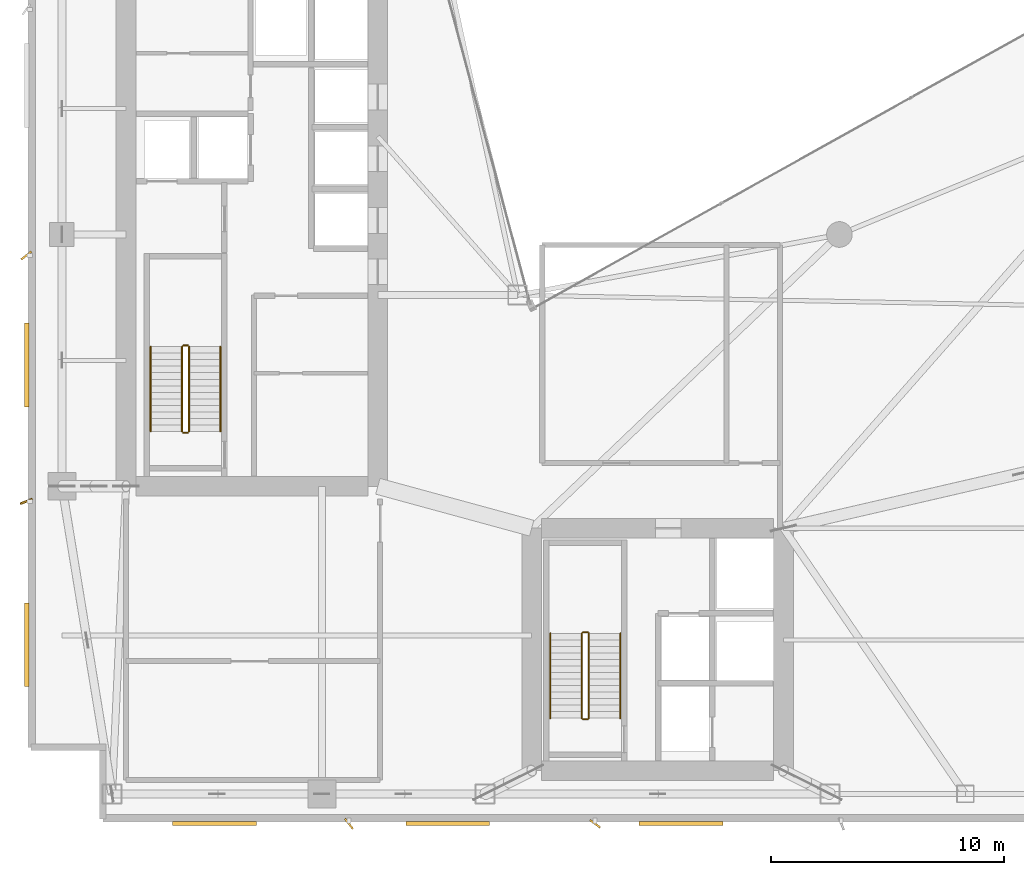
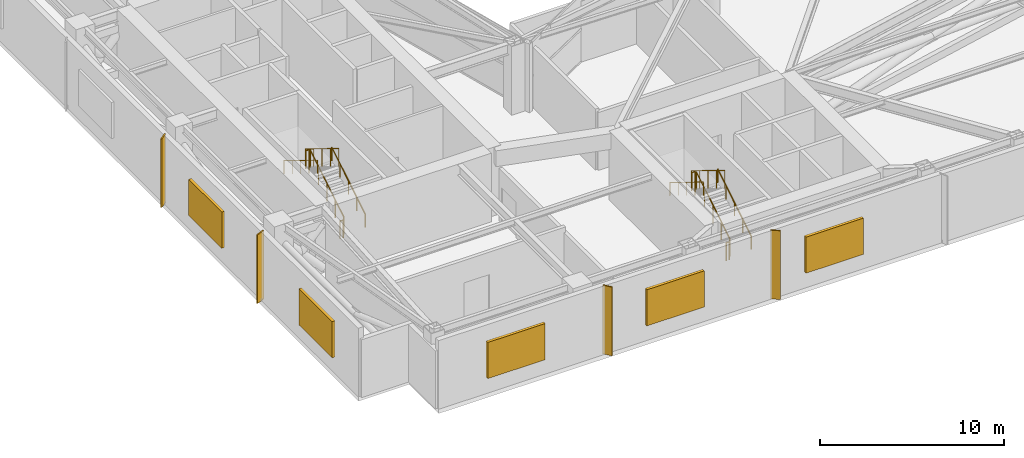
# One storey, part 18 of 19: 12 railings, 9 shading devices.
"""IFC4 building model written with IfcOpenShell, lengths in metres."""

from ifc_helpers import new_model, si_unit, direction, frame, origin, origin_2d, place, context, subcontext, project, spatial, rectangle, circle, extrude, material, type_object, element, save


model = new_model("IFC4")

# Units and contexts
model_context = context("Model", 3, precision=1e-05, world=origin(), true_north=direction((0.0, 1.0)))
body_context = subcontext(model_context, "Body", "Model", "MODEL_VIEW")
ifc_project = project(units=[si_unit("LENGTHUNIT", "METRE"), si_unit("AREAUNIT", "SQUARE_METRE"), si_unit("VOLUMEUNIT", "CUBIC_METRE"), si_unit("PLANEANGLEUNIT", "RADIAN"), si_unit("MASSUNIT", "GRAM", prefix="KILO")], contexts=[model_context])

# Site, building, storey
site_placement = place(None, origin())
site = spatial("IfcSite", under=ifc_project, at=site_placement, CompositionType="ELEMENT")
building_placement = place(site_placement, origin())
building = spatial("IfcBuilding", under=site, at=building_placement, Name="Calvorn Quay Hotel", CompositionType="ELEMENT")
storey_placement = place(building_placement, frame((0.0, 0.0, 139.199951171875)))
storey = spatial("IfcBuildingStorey", under=building, at=storey_placement, Name="L34", CompositionType="ELEMENT", Elevation=139.199951171875)

# Railings
ifc_material_1 = material(Name="Brushed Stainless Steel Handrail", Category="steel")
railing_type_1 = type_object("IfcRailingType", Name="RLG-HANDRAIL-900", PredefinedType="HANDRAIL", material=ifc_material_1)
railing_1_placement = place(storey_placement, frame((8.25, 19.14990234375, 0.17138671875)))
element("IfcRailing", 1, at=railing_1_placement, inside=storey, type_object=railing_type_1, Name="L34 ST-W stair handrail 1", PredefinedType="HANDRAIL", context=body_context, shape_type="SweptSolid", body=[
    extrude(circle(Radius=0.02392578125, at=origin_2d()), frame((0.0, 0.0, 0.8759765625), z_axis=(0.0, 0.852840387347, 0.522171689878), x_axis=(-1.0, 0.0, 0.0)), (0.0, 0.0, 1.0), 4.268310546875),
    extrude(circle(Radius=0.02099609375, at=origin_2d()), origin(), (0.0, 0.0, 1.0), 0.851806640625),
    extrude(circle(Radius=0.02099609375, at=origin_2d()), frame((0.0, 0.91015625, 0.55712890625)), (0.0, 0.0, 1.0), 0.851806640625),
    extrude(circle(Radius=0.02099609375, at=origin_2d()), frame((0.0, 1.820068359375, 1.1142578125)), (0.0, 0.0, 1.0), 0.851806640625),
    extrude(circle(Radius=0.02099609375, at=origin_2d()), frame((0.0, 2.72998046875, 1.671630859375)), (0.0, 0.0, 1.0), 0.851806640625),
    extrude(circle(Radius=0.02099609375, at=origin_2d()), frame((0.0, 3.64013671875, 2.228759765625)), (0.0, 0.0, 1.0), 0.851806640625),
])
railing_2_placement = place(storey_placement, frame((5.25, 22.7900390625, 2.571533203125)))
element("IfcRailing", 2, at=railing_2_placement, inside=storey, type_object=railing_type_1, Name="L34 ST-W stair handrail 2", PredefinedType="HANDRAIL", context=body_context, shape_type="SweptSolid", body=[
    extrude(circle(Radius=0.02392578125, at=origin_2d()), frame((0.0, 0.0, 0.8759765625), z_axis=(0.0, -0.852865859571, 0.52213008492), x_axis=(1.0, 0.0, 0.0)), (0.0, 0.0, 1.0), 4.26806640625),
    extrude(circle(Radius=0.02099609375, at=origin_2d()), origin(), (0.0, 0.0, 1.0), 0.851806640625),
    extrude(circle(Radius=0.02099609375, at=origin_2d()), frame((0.0, -0.91015625, 0.55712890625)), (0.0, 0.0, 1.0), 0.851806640625),
    extrude(circle(Radius=0.02099609375, at=origin_2d()), frame((0.0, -1.820068359375, 1.1142578125)), (0.0, 0.0, 1.0), 0.851806640625),
    extrude(circle(Radius=0.02099609375, at=origin_2d()), frame((0.0, -2.72998046875, 1.67138671875)), (0.0, 0.0, 1.0), 0.851806640625),
    extrude(circle(Radius=0.02099609375, at=origin_2d()), frame((0.0, -3.64013671875, 2.228515625)), (0.0, 0.0, 1.0), 0.851806640625),
])
railing_3_placement = place(storey_placement, frame((25.39990234375, 6.85009765625, 0.17138671875)))
element("IfcRailing", 3, at=railing_3_placement, inside=storey, type_object=railing_type_1, Name="L34 ST-E stair handrail 1", PredefinedType="HANDRAIL", context=body_context, shape_type="SweptSolid", body=[
    extrude(circle(Radius=0.02392578125, at=origin_2d()), frame((0.0, 0.0, 0.8759765625), z_axis=(0.0, 0.852824790078, 0.522197163366), x_axis=(-1.0, 0.0, 0.0)), (0.0, 0.0, 1.0), 4.26806640625),
    extrude(circle(Radius=0.02099609375, at=origin_2d()), origin(), (0.0, 0.0, 1.0), 0.851806640625),
    extrude(circle(Radius=0.02099609375, at=origin_2d()), frame((0.0, 0.909912109375, 0.55712890625)), (0.0, 0.0, 1.0), 0.851806640625),
    extrude(circle(Radius=0.02099609375, at=origin_2d()), frame((0.0, 1.81982421875, 1.1142578125)), (0.0, 0.0, 1.0), 0.851806640625),
    extrude(circle(Radius=0.02099609375, at=origin_2d()), frame((0.0, 2.72998046875, 1.671630859375)), (0.0, 0.0, 1.0), 0.851806640625),
    extrude(circle(Radius=0.02099609375, at=origin_2d()), frame((0.0, 3.639892578125, 2.228759765625)), (0.0, 0.0, 1.0), 0.851806640625),
])
railing_4_placement = place(storey_placement, frame((22.39990234375, 10.489990234375, 2.571533203125)))
element("IfcRailing", 4, at=railing_4_placement, inside=storey, type_object=railing_type_1, Name="L34 ST-E stair handrail 2", PredefinedType="HANDRAIL", context=body_context, shape_type="SweptSolid", body=[
    extrude(circle(Radius=0.02392578125, at=origin_2d()), frame((0.0, 0.0, 0.8759765625), z_axis=(0.0, -0.852850264322, 0.5221555579), x_axis=(1.0, 0.0, 0.0)), (0.0, 0.0, 1.0), 4.267822265625),
    extrude(circle(Radius=0.02099609375, at=origin_2d()), origin(), (0.0, 0.0, 1.0), 0.851806640625),
    extrude(circle(Radius=0.02099609375, at=origin_2d()), frame((0.0, -0.909912109375, 0.55712890625)), (0.0, 0.0, 1.0), 0.851806640625),
    extrude(circle(Radius=0.02099609375, at=origin_2d()), frame((0.0, -1.81982421875, 1.1142578125)), (0.0, 0.0, 1.0), 0.851806640625),
    extrude(circle(Radius=0.02099609375, at=origin_2d()), frame((0.0, -2.72998046875, 1.67138671875)), (0.0, 0.0, 1.0), 0.851806640625),
    extrude(circle(Radius=0.02099609375, at=origin_2d()), frame((0.0, -3.639892578125, 2.228515625)), (0.0, 0.0, 1.0), 0.851806640625),
])
ifc_material_2 = material(Name="Painted Galvanised Steel Balustrade", Category="steel")
railing_type_2 = type_object("IfcRailingType", Name="RLG-STAIR-GUARD-1120", PredefinedType="GUARDRAIL", material=ifc_material_2)
railing_5_placement = place(storey_placement, frame((6.89990234375, 19.14990234375, 0.17138671875)))
element("IfcRailing", 5, at=railing_5_placement, inside=storey, type_object=railing_type_2, Name="L34 ST-W stair guard 1", PredefinedType="GUARDRAIL", context=body_context, shape_type="SweptSolid", body=[
    extrude(circle(Radius=0.02392578125, at=origin_2d()), frame((0.0, 0.0, 1.17578125), z_axis=(0.0, 0.852840387347, 0.522171689878), x_axis=(-1.0, 0.0, 0.0)), (0.0, 0.0, 1.0), 4.268310546875),
    extrude(circle(Radius=0.02099609375, at=origin_2d()), origin(), (0.0, 0.0, 1.0), 1.15185546875),
    extrude(circle(Radius=0.02099609375, at=origin_2d()), frame((0.0, 0.91015625, 0.55712890625)), (0.0, 0.0, 1.0), 1.15185546875),
    extrude(circle(Radius=0.02099609375, at=origin_2d()), frame((0.0, 1.820068359375, 1.1142578125)), (0.0, 0.0, 1.0), 1.15185546875),
    extrude(circle(Radius=0.02099609375, at=origin_2d()), frame((0.0, 2.72998046875, 1.671630859375)), (0.0, 0.0, 1.0), 1.15185546875),
    extrude(circle(Radius=0.02099609375, at=origin_2d()), frame((0.0, 3.64013671875, 2.228759765625)), (0.0, 0.0, 1.0), 1.15185546875),
])
railing_6_placement = place(storey_placement, frame((6.85009765625, 22.840087890625, 2.400146484375)))
element("IfcRailing", 6, at=railing_6_placement, inside=storey, type_object=railing_type_2, Name="L34 ST-W stair guard 2", PredefinedType="GUARDRAIL", context=body_context, shape_type="SweptSolid", body=[
    extrude(circle(Radius=0.02392578125, at=origin_2d()), frame((0.0, 0.0, 1.17578125), z_axis=(-1.0, 0.0, 0.0), x_axis=(0.0, -1.0, 0.0)), (0.0, 0.0, 1.0), 0.2001953125),
    extrude(circle(Radius=0.02099609375, at=origin_2d()), origin(), (0.0, 0.0, 1.0), 1.15185546875),
    extrude(circle(Radius=0.02099609375, at=origin_2d()), frame((-0.2001953125, 0.0, 0.0)), (0.0, 0.0, 1.0), 1.15185546875),
])
railing_7_placement = place(storey_placement, frame((6.60009765625, 22.7900390625, 2.571533203125)))
element("IfcRailing", 7, at=railing_7_placement, inside=storey, type_object=railing_type_2, Name="L34 ST-W stair guard 3", PredefinedType="GUARDRAIL", context=body_context, shape_type="SweptSolid", body=[
    extrude(circle(Radius=0.02392578125, at=origin_2d()), frame((0.0, 0.0, 1.17578125), z_axis=(0.0, -0.852865859571, 0.52213008492), x_axis=(1.0, 0.0, 0.0)), (0.0, 0.0, 1.0), 4.26806640625),
    extrude(circle(Radius=0.02099609375, at=origin_2d()), origin(), (0.0, 0.0, 1.0), 1.15185546875),
    extrude(circle(Radius=0.02099609375, at=origin_2d()), frame((0.0, -0.91015625, 0.55712890625)), (0.0, 0.0, 1.0), 1.15185546875),
    extrude(circle(Radius=0.02099609375, at=origin_2d()), frame((0.0, -1.820068359375, 1.1142578125)), (0.0, 0.0, 1.0), 1.15185546875),
    extrude(circle(Radius=0.02099609375, at=origin_2d()), frame((0.0, -2.72998046875, 1.67138671875)), (0.0, 0.0, 1.0), 1.15185546875),
    extrude(circle(Radius=0.02099609375, at=origin_2d()), frame((0.0, -3.64013671875, 2.228515625)), (0.0, 0.0, 1.0), 1.15185546875),
])
railing_8_placement = place(storey_placement, frame((6.85009765625, 19.10009765625, 0.0)))
element("IfcRailing", 8, at=railing_8_placement, inside=storey, type_object=railing_type_2, Name="L34 ST-W stair guard 4", PredefinedType="GUARDRAIL", context=body_context, shape_type="SweptSolid", body=[
    extrude(circle(Radius=0.02392578125, at=origin_2d()), frame((0.0, 0.0, 1.17578125), z_axis=(-1.0, 0.0, 0.0), x_axis=(0.0, -1.0, 0.0)), (0.0, 0.0, 1.0), 0.2001953125),
    extrude(circle(Radius=0.02099609375, at=origin_2d()), origin(), (0.0, 0.0, 1.0), 1.15185546875),
    extrude(circle(Radius=0.02099609375, at=origin_2d()), frame((-0.2001953125, 0.0, 0.0)), (0.0, 0.0, 1.0), 1.15185546875),
])
railing_9_placement = place(storey_placement, frame((24.050048828125, 6.85009765625, 0.17138671875)))
element("IfcRailing", 9, at=railing_9_placement, inside=storey, type_object=railing_type_2, Name="L34 ST-E stair guard 1", PredefinedType="GUARDRAIL", context=body_context, shape_type="SweptSolid", body=[
    extrude(circle(Radius=0.02392578125, at=origin_2d()), frame((0.0, 0.0, 1.17578125), z_axis=(0.0, 0.852824790078, 0.522197163366), x_axis=(-1.0, 0.0, 0.0)), (0.0, 0.0, 1.0), 4.26806640625),
    extrude(circle(Radius=0.02099609375, at=origin_2d()), origin(), (0.0, 0.0, 1.0), 1.15185546875),
    extrude(circle(Radius=0.02099609375, at=origin_2d()), frame((0.0, 0.909912109375, 0.55712890625)), (0.0, 0.0, 1.0), 1.15185546875),
    extrude(circle(Radius=0.02099609375, at=origin_2d()), frame((0.0, 1.81982421875, 1.1142578125)), (0.0, 0.0, 1.0), 1.15185546875),
    extrude(circle(Radius=0.02099609375, at=origin_2d()), frame((0.0, 2.72998046875, 1.671630859375)), (0.0, 0.0, 1.0), 1.15185546875),
    extrude(circle(Radius=0.02099609375, at=origin_2d()), frame((0.0, 3.639892578125, 2.228759765625)), (0.0, 0.0, 1.0), 1.15185546875),
])
railing_10_placement = place(storey_placement, frame((24.0, 10.5400390625, 2.400146484375)))
element("IfcRailing", 10, at=railing_10_placement, inside=storey, type_object=railing_type_2, Name="L34 ST-E stair guard 2", PredefinedType="GUARDRAIL", context=body_context, shape_type="SweptSolid", body=[
    extrude(circle(Radius=0.02392578125, at=origin_2d()), frame((0.0, 0.0, 1.17578125), z_axis=(-1.0, 0.0, 0.0), x_axis=(0.0, -1.0, 0.0)), (0.0, 0.0, 1.0), 0.199951171875),
    extrude(circle(Radius=0.02099609375, at=origin_2d()), origin(), (0.0, 0.0, 1.0), 1.15185546875),
    extrude(circle(Radius=0.02099609375, at=origin_2d()), frame((-0.199951171875, 0.0, 0.0)), (0.0, 0.0, 1.0), 1.15185546875),
])
railing_11_placement = place(storey_placement, frame((23.75, 10.489990234375, 2.571533203125)))
element("IfcRailing", 11, at=railing_11_placement, inside=storey, type_object=railing_type_2, Name="L34 ST-E stair guard 3", PredefinedType="GUARDRAIL", context=body_context, shape_type="SweptSolid", body=[
    extrude(circle(Radius=0.02392578125, at=origin_2d()), frame((0.0, 0.0, 1.17578125), z_axis=(0.0, -0.852850264322, 0.5221555579), x_axis=(1.0, 0.0, 0.0)), (0.0, 0.0, 1.0), 4.267822265625),
    extrude(circle(Radius=0.02099609375, at=origin_2d()), origin(), (0.0, 0.0, 1.0), 1.15185546875),
    extrude(circle(Radius=0.02099609375, at=origin_2d()), frame((0.0, -0.909912109375, 0.55712890625)), (0.0, 0.0, 1.0), 1.15185546875),
    extrude(circle(Radius=0.02099609375, at=origin_2d()), frame((0.0, -1.81982421875, 1.1142578125)), (0.0, 0.0, 1.0), 1.15185546875),
    extrude(circle(Radius=0.02099609375, at=origin_2d()), frame((0.0, -2.72998046875, 1.67138671875)), (0.0, 0.0, 1.0), 1.15185546875),
    extrude(circle(Radius=0.02099609375, at=origin_2d()), frame((0.0, -3.639892578125, 2.228515625)), (0.0, 0.0, 1.0), 1.15185546875),
])
railing_12_placement = place(storey_placement, frame((24.0, 6.800048828125, 0.0)))
element("IfcRailing", 12, at=railing_12_placement, inside=storey, type_object=railing_type_2, Name="L34 ST-E stair guard 4", PredefinedType="GUARDRAIL", context=body_context, shape_type="SweptSolid", body=[
    extrude(circle(Radius=0.02392578125, at=origin_2d()), frame((0.0, 0.0, 1.17578125), z_axis=(-1.0, 0.0, 0.0), x_axis=(0.0, -1.0, 0.0)), (0.0, 0.0, 1.0), 0.199951171875),
    extrude(circle(Radius=0.02099609375, at=origin_2d()), origin(), (0.0, 0.0, 1.0), 1.15185546875),
    extrude(circle(Radius=0.02099609375, at=origin_2d()), frame((-0.199951171875, 0.0, 0.0)), (0.0, 0.0, 1.0), 1.15185546875),
])

# Shading devices
ifc_material_3 = material(Name="Champagne Bronze Anodised Aluminium 6063-T6", Category="aluminium")
shading_device_type_1 = type_object("IfcShadingDeviceType", Name="SHD-FIN-A1", PredefinedType="USERDEFINED", material=ifc_material_3)
shading_device_1_placement = place(storey_placement, frame((-0.080078125, 16.14990234375, 0.0), z_axis=(0.0, 0.0, 1.0), x_axis=(0.927183854567, 0.374606593416, 0.0)))
element("IfcShadingDevice", 13, at=shading_device_1_placement, inside=storey, type_object=shading_device_type_1, Name="Diagonal Sun-Shading Fin L34-W01", ObjectType="FIN", PredefinedType="USERDEFINED", context=body_context, shape_type="SweptSolid", body=[
    extrude(rectangle(XDim=0.550048828125, YDim=0.080078125, at=origin_2d()), origin(), (0.0, 0.0, 1.0), 4.56005859375),
])
ifc_material_4 = material(Name="Champagne Bronze Anodised Aluminium 6063-T6", Category="aluminium")
shading_device_type_2 = type_object("IfcShadingDeviceType", Name="SHD-FIN-A2", PredefinedType="USERDEFINED", material=ifc_material_4)
for number, where, z_axis, x_axis, name in (
    (14, (-0.080078125, 26.699951171875, 0.0), (0.0, 0.0, 1.0), (0.788010753607, 0.615661475326, 0.0), "Diagonal Sun-Shading Fin L34-W02"),
    (15, (13.760009765625, 2.320068359375, 0.0), (0.0, 0.0, 1.0), (-0.615661475326, 0.788010753607, 0.0), "Diagonal Sun-Shading Fin L34-S01"),
):
    element("IfcShadingDevice", number, at=place(storey_placement, frame(where, z_axis=z_axis, x_axis=x_axis)), inside=storey, type_object=shading_device_type_2, Name=name, ObjectType="FIN", PredefinedType="USERDEFINED", context=body_context, shape_type="SweptSolid", body=[
        extrude(rectangle(XDim=0.550048828125, YDim=0.080078125, at=origin_2d()), origin(), (0.0, 0.0, 1.0), 4.56005859375),
    ])
ifc_material_5 = material(Name="Champagne Bronze Anodised Aluminium 6063-T6", Category="aluminium")
shading_device_type_3 = type_object("IfcShadingDeviceType", Name="SHD-FIN-A3", PredefinedType="USERDEFINED", material=ifc_material_5)
shading_device_2_placement = place(storey_placement, frame((24.320068359375, 2.320068359375, 0.0), z_axis=(0.0, 0.0, 1.0), x_axis=(-0.809016994375, 0.587785252292, 0.0)))
element("IfcShadingDevice", 16, at=shading_device_2_placement, inside=storey, type_object=shading_device_type_3, Name="Diagonal Sun-Shading Fin L34-S02", ObjectType="FIN", PredefinedType="USERDEFINED", context=body_context, shape_type="SweptSolid", body=[
    extrude(rectangle(XDim=0.550048828125, YDim=0.080078125, at=origin_2d()), origin(), (0.0, 0.0, 1.0), 4.56005859375),
])
ifc_material_6 = material(Name="Anodised Aluminium 6063-T6", Category="aluminium")
shading_device_type_4 = type_object("IfcShadingDeviceType", Name="SHD-MECH-LOUVRE", PredefinedType="USERDEFINED", material=ifc_material_6)
for number, where, z_axis, x_axis, name in (
    (17, (-0.06005859375, 10.0, 1.080078125), (0.0, 0.0, 1.0), (1.0, 0.0, 0.0), "Refuge Stormproof Intake Louvre L34-W1"),
    (18, (-0.06005859375, 22.0, 1.080078125), (0.0, 0.0, 1.0), (1.0, 0.0, 0.0), "Refuge Stormproof Intake Louvre L34-W2"),
):
    element("IfcShadingDevice", number, at=place(storey_placement, frame(where, z_axis=z_axis, x_axis=x_axis)), inside=storey, type_object=shading_device_type_4, Name=name, ObjectType="LOUVRE", PredefinedType="USERDEFINED", context=body_context, shape_type="SweptSolid", body=[
        extrude(rectangle(XDim=0.179931640625, YDim=3.60009765625, at=origin_2d()), origin(), (0.0, 0.0, 1.0), 2.39990234375),
    ])
for number, where, z_axis, x_axis, name in (
    (19, (8.0, 2.340087890625, 1.080078125), (0.0, 0.0, 1.0), (1.0, 0.0, 0.0), "Refuge Exhaust Louvre L34-S1"),
    (20, (18.0, 2.340087890625, 1.080078125), (0.0, 0.0, 1.0), (1.0, 0.0, 0.0), "Refuge Exhaust Louvre L34-S2"),
    (21, (28.0, 2.340087890625, 1.080078125), (0.0, 0.0, 1.0), (1.0, 0.0, 0.0), "Refuge Exhaust Louvre L34-S3"),
):
    element("IfcShadingDevice", number, at=place(storey_placement, frame(where, z_axis=z_axis, x_axis=x_axis)), inside=storey, type_object=shading_device_type_4, Name=name, ObjectType="LOUVRE", PredefinedType="USERDEFINED", context=body_context, shape_type="SweptSolid", body=[
        extrude(rectangle(XDim=3.60009765625, YDim=0.179931640625, at=origin_2d()), origin(), (0.0, 0.0, 1.0), 2.39990234375),
    ])

save(model, "model.ifc")
